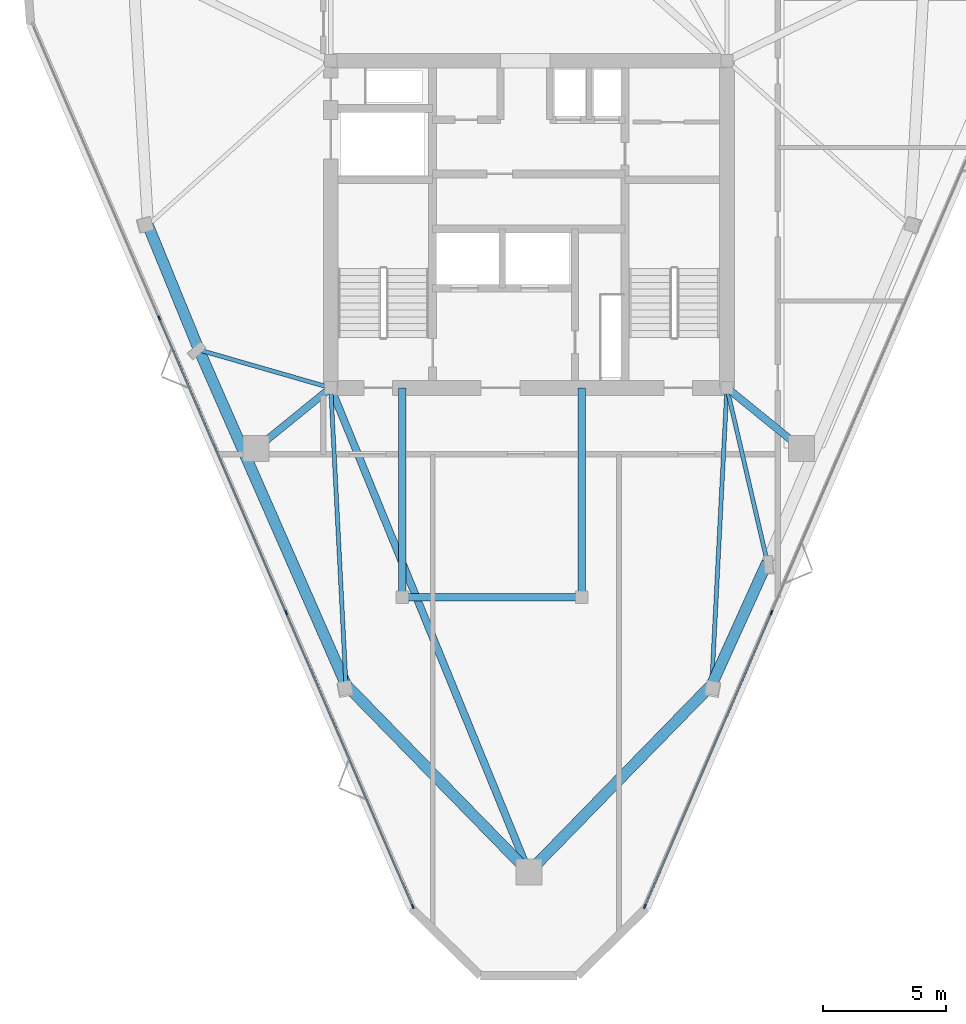
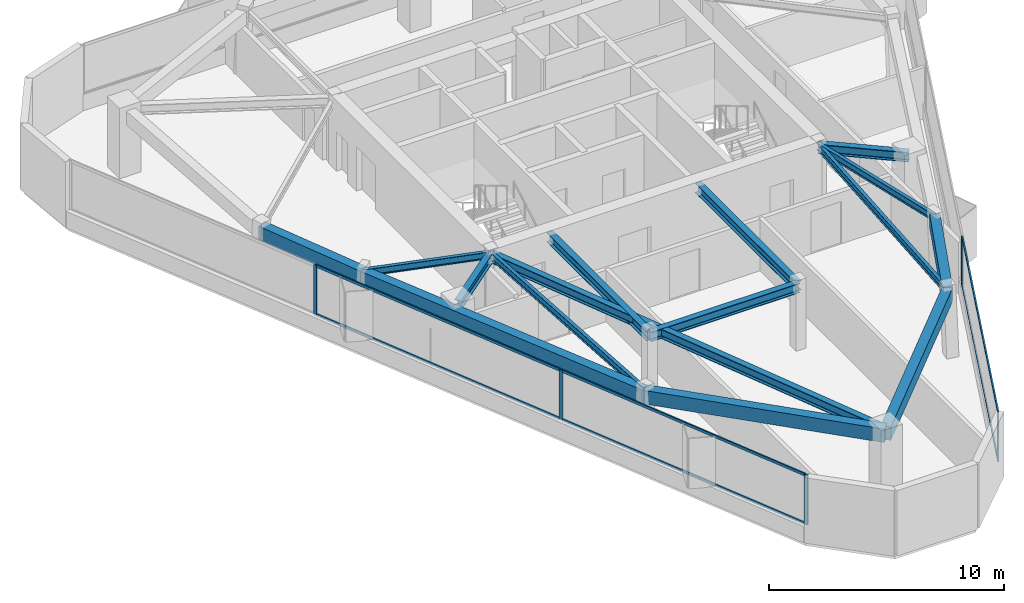
# One storey, part 2 of 9: 15 beams, 11 members, 2 elements without a shape of their own.
"""IFC4 building model written with IfcOpenShell, lengths in metres."""

from ifc_helpers import new_model, si_unit, direction, frame, origin, origin_2d, place, context, subcontext, project, spatial, rectangle, i_section, extrude, material, layer, layer_set, material_profile, profile_set, type_object, element, aggregate, save


model = new_model("IFC4")

# Units and contexts
model_context = context("Model", 3, precision=1e-05, world=origin(), true_north=direction((0.0, 1.0)))
body_context = subcontext(model_context, "Body", "Model", "MODEL_VIEW")
ifc_project = project(units=[si_unit("LENGTHUNIT", "METRE"), si_unit("AREAUNIT", "SQUARE_METRE"), si_unit("VOLUMEUNIT", "CUBIC_METRE"), si_unit("PLANEANGLEUNIT", "RADIAN"), si_unit("MASSUNIT", "GRAM", prefix="KILO")], contexts=[model_context])

# Site, building, storey
site_placement = place(None, origin())
site = spatial("IfcSite", under=ifc_project, at=site_placement, CompositionType="ELEMENT")
building_placement = place(site_placement, origin())
building = spatial("IfcBuilding", under=site, at=building_placement, Name="Talyreon Biosciences Tower", CompositionType="ELEMENT")
storey_placement = place(building_placement, frame((0.0, 0.0, 302.050048828125)))
storey = spatial("IfcBuildingStorey", under=building, at=storey_placement, Name="L80", CompositionType="ELEMENT", Elevation=302.050048828125)

# Curtain wall, members
ifc_material_1 = material(Name="Thermally broken aluminium and low-E glazing", Category="aluminium")
ifc_layer = layer(ifc_material_1, 0.175048828125)
ifc_layer_set = layer_set([ifc_layer], Name="Thermally broken aluminium and low-E glazing")
curtain_wall_type = type_object("IfcCurtainWallType", Name="CurtainWall_Zone5CompLab", PredefinedType="NOTDEFINED", material=ifc_layer_set)
curtain_wall_1_placement = place(storey_placement, origin())
curtain_wall_1 = element("IfcCurtainWall", 1, at=curtain_wall_1_placement, inside=storey, type_object=curtain_wall_type, Name="L80 Unitised Curtain Wall FCW-L80-00", PredefinedType="NOTDEFINED")
ifc_material_2 = material(Name="Anodised thermally broken aluminium", Category="aluminium")
ifc_material_profile_1 = material_profile(ifc_material_2, rectangle(XDim=0.06494140625, YDim=0.179931640625, at=origin_2d()), Name="ALUM MULLION 65x180")
ifc_profile_set_1 = profile_set([ifc_material_profile_1], Name="Anodised thermally broken aluminium")
member_type_1 = type_object("IfcMemberType", Name="CWMullion_65x180", PredefinedType="MULLION", material=ifc_profile_set_1)
member_1_placement = place(storey_placement, frame((61.28515625, 40.27099609375, 0.81005859375), z_axis=(0.0, 0.0, 1.0), x_axis=(-0.918363311246, -0.395738333444, 0.0)))
member_1 = element("IfcMember", 2, at=member_1_placement, type_object=member_type_1, Name="CW6 mullion 1", PredefinedType="MULLION", context=body_context, shape_type="SweptSolid", body=[
    extrude(rectangle(XDim=0.06494140625, YDim=0.179931640625, at=origin_2d()), origin(), (0.0, 0.0, 1.0), 2.58984375),
])
member_2_placement = place(storey_placement, frame((56.138916015625, 52.213134765625, 0.81005859375), z_axis=(0.0, 0.0, 1.0), x_axis=(-0.918363311246, -0.395738333444, 0.0)))
member_2 = element("IfcMember", 3, at=member_2_placement, type_object=member_type_1, Name="CW6 mullion 2", PredefinedType="MULLION", context=body_context, shape_type="SweptSolid", body=[
    extrude(rectangle(XDim=0.06494140625, YDim=0.179931640625, at=origin_2d()), origin(), (0.0, 0.0, 1.0), 2.58984375),
])
member_3_placement = place(storey_placement, frame((50.97998046875, 64.185302734375, 0.81005859375), z_axis=(0.0, 0.0, 1.0), x_axis=(-0.918363311246, -0.395738333444, 0.0)))
member_3 = element("IfcMember", 4, at=member_3_placement, type_object=member_type_1, Name="CW6 mullion 3", PredefinedType="MULLION", context=body_context, shape_type="SweptSolid", body=[
    extrude(rectangle(XDim=0.06494140625, YDim=0.179931640625, at=origin_2d()), origin(), (0.0, 0.0, 1.0), 2.58984375),
])

curtain_wall_2_placement = place(storey_placement, origin())
curtain_wall_2 = element("IfcCurtainWall", 5, at=curtain_wall_2_placement, inside=storey, type_object=curtain_wall_type, Name="L80 Unitised Curtain Wall FCW-L80-08", PredefinedType="NOTDEFINED")
member_4_placement = place(storey_placement, frame((75.861083984375, 52.213134765625, 0.81005859375), z_axis=(0.0, 0.0, 1.0), x_axis=(0.918363311246, -0.395738333444, 0.0)))
member_4 = element("IfcMember", 6, at=member_4_placement, type_object=member_type_1, Name="CW6 mullion 3", PredefinedType="MULLION", context=body_context, shape_type="SweptSolid", body=[
    extrude(rectangle(XDim=0.06494140625, YDim=0.179931640625, at=origin_2d()), origin(), (0.0, 0.0, 1.0), 2.58984375),
])
member_5_placement = place(storey_placement, frame((70.71484375, 40.27099609375, 0.81005859375), z_axis=(0.0, 0.0, 1.0), x_axis=(0.918363311246, -0.395738333444, 0.0)))
member_5 = element("IfcMember", 7, at=member_5_placement, type_object=member_type_1, Name="CW6 mullion 4", PredefinedType="MULLION", context=body_context, shape_type="SweptSolid", body=[
    extrude(rectangle(XDim=0.06494140625, YDim=0.179931640625, at=origin_2d()), origin(), (0.0, 0.0, 1.0), 2.58984375),
])

# Member
ifc_material_profile_2 = material_profile(ifc_material_2, rectangle(XDim=0.06494140625, YDim=0.139892578125, at=origin_2d()), Name="ALUM TRANSOM 65x140")
ifc_profile_set_2 = profile_set([ifc_material_profile_2], Name="Anodised thermally broken aluminium")
member_type_2 = type_object("IfcMemberType", Name="CWTransom_65x140", PredefinedType="USERDEFINED", material=ifc_profile_set_2)
member_6_placement = place(storey_placement, frame((61.272216796875, 40.30078125, 0.842529296875), z_axis=(-0.395735791356, 0.918364406671, 0.0), x_axis=(-0.918364406671, -0.395735791356, 0.0)))
member_6 = element("IfcMember", 8, at=member_6_placement, type_object=member_type_2, Name="CW6 transom 1.1", ObjectType="TRANSOM", PredefinedType="USERDEFINED", context=body_context, shape_type="SweptSolid", body=[
    extrude(rectangle(XDim=0.06494140625, YDim=0.139892578125, at=origin_2d()), origin(), (0.0, 0.0, 1.0), 12.938720703125),
])

member_7_placement = place(storey_placement, frame((61.272216796875, 40.30078125, 3.367431640625), z_axis=(-0.395735791356, 0.918364406671, 0.0), x_axis=(-0.918364406671, -0.395735791356, 0.0)))
member_7 = element("IfcMember", 9, at=member_7_placement, type_object=member_type_2, Name="CW6 transom 1.2", ObjectType="TRANSOM", PredefinedType="USERDEFINED", context=body_context, shape_type="SweptSolid", body=[
    extrude(rectangle(XDim=0.06494140625, YDim=0.139892578125, at=origin_2d()), origin(), (0.0, 0.0, 1.0), 12.938720703125),
])

member_8_placement = place(storey_placement, frame((56.126220703125, 52.242919921875, 0.842529296875), z_axis=(-0.395742593834, 0.91836147536, 0.0), x_axis=(-0.91836147536, -0.395742593834, 0.0)))
member_8 = element("IfcMember", 10, at=member_8_placement, type_object=member_type_2, Name="CW6 transom 2.1", ObjectType="TRANSOM", PredefinedType="USERDEFINED", context=body_context, shape_type="SweptSolid", body=[
    extrude(rectangle(XDim=0.06494140625, YDim=0.139892578125, at=origin_2d()), origin(), (0.0, 0.0, 1.0), 12.97119140625),
])

member_9_placement = place(storey_placement, frame((56.126220703125, 52.242919921875, 3.367431640625), z_axis=(-0.395742593834, 0.91836147536, 0.0), x_axis=(-0.91836147536, -0.395742593834, 0.0)))
member_9 = element("IfcMember", 11, at=member_9_placement, type_object=member_type_2, Name="CW6 transom 2.2", ObjectType="TRANSOM", PredefinedType="USERDEFINED", context=body_context, shape_type="SweptSolid", body=[
    extrude(rectangle(XDim=0.06494140625, YDim=0.139892578125, at=origin_2d()), origin(), (0.0, 0.0, 1.0), 12.97119140625),
])

aggregate(curtain_wall_1, [member_1, member_2, member_3, member_6, member_7, member_8, member_9])

member_10_placement = place(storey_placement, frame((75.84814453125, 52.183349609375, 0.842529296875), z_axis=(-0.395735791356, -0.918364406671, 0.0), x_axis=(0.918364406671, -0.395735791356, 0.0)))
member_10 = element("IfcMember", 12, at=member_10_placement, type_object=member_type_2, Name="CW6 transom 3.1", ObjectType="TRANSOM", PredefinedType="USERDEFINED", context=body_context, shape_type="SweptSolid", body=[
    extrude(rectangle(XDim=0.06494140625, YDim=0.139892578125, at=origin_2d()), origin(), (0.0, 0.0, 1.0), 12.938720703125),
])

member_11_placement = place(storey_placement, frame((75.84814453125, 52.183349609375, 3.367431640625), z_axis=(-0.395735791356, -0.918364406671, 0.0), x_axis=(0.918364406671, -0.395735791356, 0.0)))
member_11 = element("IfcMember", 13, at=member_11_placement, type_object=member_type_2, Name="CW6 transom 3.2", ObjectType="TRANSOM", PredefinedType="USERDEFINED", context=body_context, shape_type="SweptSolid", body=[
    extrude(rectangle(XDim=0.06494140625, YDim=0.139892578125, at=origin_2d()), origin(), (0.0, 0.0, 1.0), 12.938720703125),
])

aggregate(curtain_wall_2, [member_4, member_5, member_10, member_11])

# Beams
ifc_material_3 = material(Name="Precast concrete C45/55", Category="concrete")
ifc_material_profile_3 = material_profile(ifc_material_3, rectangle(XDim=0.449951171875, YDim=0.699951171875, at=origin_2d()), Name="RCB 450x700")
ifc_profile_set_3 = profile_set([ifc_material_profile_3], Name="Precast concrete C45/55")
beam_type_1 = type_object("IfcBeamType", Name="ExpressedSpandrel_450x700", PredefinedType="SPANDREL", material=ifc_profile_set_3)
beam_1_placement = place(storey_placement, frame((66.0, 41.6669921875, 3.050048828125), z_axis=(0.698429612284, 0.715678752434, 0.0), x_axis=(-0.715678752434, 0.698429612284, 0.0)))
element("IfcBeam", 14, at=beam_1_placement, inside=storey, type_object=beam_type_1, Name="L80 Expressed Horizontal Concrete Spandrel 01", PredefinedType="SPANDREL", context=body_context, shape_type="SweptSolid", body=[
    extrude(rectangle(XDim=0.449951171875, YDim=0.699951171875, at=origin_2d()), origin(), (0.0, 0.0, 1.0), 10.6435546875),
])
beam_2_placement = place(storey_placement, frame((73.433837890625, 49.284423828125, 3.050048828125), z_axis=(0.412428673776, 0.91098989514, 0.0), x_axis=(-0.91098989514, 0.412428673776, 0.0)))
element("IfcBeam", 15, at=beam_2_placement, inside=storey, type_object=beam_type_1, Name="L80 Expressed Horizontal Concrete Spandrel 02", PredefinedType="SPANDREL", context=body_context, shape_type="SweptSolid", body=[
    extrude(rectangle(XDim=0.449951171875, YDim=0.699951171875, at=origin_2d()), origin(), (0.0, 0.0, 1.0), 5.476318359375),
])
beam_3_placement = place(storey_placement, frame((50.518310546875, 67.960693359375, 3.050048828125), z_axis=(0.378881086223, -0.925445364407, 0.0), x_axis=(0.925445364407, 0.378881086223, 0.0)))
element("IfcBeam", 16, at=beam_3_placement, inside=storey, type_object=beam_type_1, Name="L80 Expressed Horizontal Concrete Spandrel 10", PredefinedType="SPANDREL", context=body_context, shape_type="SweptSolid", body=[
    extrude(rectangle(XDim=0.449951171875, YDim=0.699951171875, at=origin_2d()), origin(), (0.0, 0.0, 1.0), 5.475830078125),
])
beam_4_placement = place(storey_placement, frame((52.593017578125, 62.89306640625, 3.050048828125), z_axis=(0.401912126824, -0.915678241694, 0.0), x_axis=(0.915678241694, 0.401912126824, 0.0)))
element("IfcBeam", 17, at=beam_4_placement, inside=storey, type_object=beam_type_1, Name="L80 Expressed Horizontal Concrete Spandrel 11", PredefinedType="SPANDREL", context=body_context, shape_type="SweptSolid", body=[
    extrude(rectangle(XDim=0.449951171875, YDim=0.699951171875, at=origin_2d()), origin(), (0.0, 0.0, 1.0), 14.86181640625),
])
beam_5_placement = place(storey_placement, frame((58.566162109375, 49.284423828125, 3.050048828125), z_axis=(0.698429612284, -0.715678752434, 0.0), x_axis=(0.715678752434, 0.698429612284, 0.0)))
element("IfcBeam", 18, at=beam_5_placement, inside=storey, type_object=beam_type_1, Name="L80 Expressed Horizontal Concrete Spandrel 12", PredefinedType="SPANDREL", context=body_context, shape_type="SweptSolid", body=[
    extrude(rectangle(XDim=0.449951171875, YDim=0.699951171875, at=origin_2d()), origin(), (0.0, 0.0, 1.0), 10.6435546875),
])
ifc_material_4 = material(Name="Steel SM355", Category="steel")
ifc_material_profile_4 = material_profile(ifc_material_4, i_section(OverallWidth=0.300048828125, OverallDepth=0.5, WebThickness=0.014404296875, FlangeThickness=0.028076171875, FilletRadius=0.027099609375, at=origin_2d()), Name="HE500B")
ifc_profile_set_4 = profile_set([ifc_material_profile_4], Name="Steel SM355")
beam_type_2 = type_object("IfcBeamType", Name="SteelBeam_HE500B", PredefinedType="BEAM", material=ifc_profile_set_4)
beam_6_placement = place(storey_placement, frame((57.949951171875, 61.35009765625, 3.14990234375), z_axis=(0.378547014545, -0.925582064314, 0.0), x_axis=(0.925582064314, 0.378547014545, 0.0)))
element("IfcBeam", 19, at=beam_6_placement, inside=storey, type_object=beam_type_2, Name="L80 Radial Primary Girder 1", PredefinedType="BEAM", context=body_context, shape_type="SweptSolid", body=[
    extrude(i_section(OverallWidth=0.300048828125, OverallDepth=0.5, WebThickness=0.014404296875, FlangeThickness=0.028076171875, FilletRadius=0.027099609375, at=origin_2d()), origin(), (0.0, 0.0, 1.0), 21.265625),
])
for number, where, z_axis, x_axis, name in (
    (20, (74.050048828125, 61.35009765625, 3.14990234375), (0.775755154013, -0.631034025249, 0.0), (0.631034025249, 0.775755154013, 0.0), "L80 Radial Primary Girder 2"),
    (21, (57.949951171875, 61.35009765625, 3.14990234375), (-0.775755154013, -0.631034025249, 0.0), (0.631034025249, -0.775755154013, 0.0), "L80 Radial Primary Girder 6"),
):
    element("IfcBeam", number, at=place(storey_placement, frame(where, z_axis=z_axis, x_axis=x_axis)), inside=storey, type_object=beam_type_2, Name=name, PredefinedType="BEAM", context=body_context, shape_type="SweptSolid", body=[
        extrude(i_section(OverallWidth=0.300048828125, OverallDepth=0.5, WebThickness=0.014404296875, FlangeThickness=0.028076171875, FilletRadius=0.027099609375, at=origin_2d()), origin(), (0.0, 0.0, 1.0), 3.913818359375),
    ])
beam_7_placement = place(storey_placement, frame((60.85009765625, 52.840087890625, 3.14990234375), z_axis=(1.0, 0.0, 0.0), x_axis=(0.0, 1.0, 0.0)))
element("IfcBeam", 22, at=beam_7_placement, inside=storey, type_object=beam_type_2, Name="L80 Crown Shaft Spine Girder S", PredefinedType="BEAM", context=body_context, shape_type="SweptSolid", body=[
    extrude(i_section(OverallWidth=0.300048828125, OverallDepth=0.5, WebThickness=0.014404296875, FlangeThickness=0.028076171875, FilletRadius=0.027099609375, at=origin_2d()), origin(), (0.0, 0.0, 1.0), 7.2998046875),
])
for number, where, z_axis, x_axis, name in (
    (23, (60.85009765625, 52.840087890625, 3.14990234375), (0.0, 1.0, 0.0), (-1.0, 0.0, 0.0), "L80 Crown Shaft Tie Girder W"),
    (24, (68.14990234375, 52.840087890625, 3.14990234375), (0.0, 1.0, 0.0), (-1.0, 0.0, 0.0), "L80 Crown Shaft Tie Girder E"),
):
    element("IfcBeam", number, at=place(storey_placement, frame(where, z_axis=z_axis, x_axis=x_axis)), inside=storey, type_object=beam_type_2, Name=name, PredefinedType="BEAM", context=body_context, shape_type="SweptSolid", body=[
        extrude(i_section(OverallWidth=0.300048828125, OverallDepth=0.5, WebThickness=0.014404296875, FlangeThickness=0.028076171875, FilletRadius=0.027099609375, at=origin_2d()), origin(), (0.0, 0.0, 1.0), 8.510009765625),
    ])
ifc_material_profile_5 = material_profile(ifc_material_4, i_section(OverallWidth=0.169921875, OverallDepth=0.360107421875, WebThickness=0.008056640625, FlangeThickness=0.0126953125, FilletRadius=0.01806640625, at=origin_2d()), Name="IPE360")
ifc_profile_set_5 = profile_set([ifc_material_profile_5], Name="Steel SM355")
beam_type_3 = type_object("IfcBeamType", Name="SteelJoist_IPE360", PredefinedType="JOIST", material=ifc_profile_set_5)
beam_8_placement = place(storey_placement, frame((74.050048828125, 61.35009765625, 3.219970703125), z_axis=(-0.051004932418, -0.998698401355, 0.0), x_axis=(0.998698401355, -0.051004932418, 0.0)))
element("IfcBeam", 25, at=beam_8_placement, inside=storey, type_object=beam_type_3, Name="L80 Radial Composite Floor Joist PC-SE1", PredefinedType="JOIST", context=body_context, shape_type="SweptSolid", body=[
    extrude(i_section(OverallWidth=0.169921875, OverallDepth=0.360107421875, WebThickness=0.008056640625, FlangeThickness=0.0126953125, FilletRadius=0.01806640625, at=origin_2d()), origin(), (0.0, 0.0, 1.0), 12.081298828125),
])
beam_9_placement = place(storey_placement, frame((74.050048828125, 61.35009765625, 3.219970703125), z_axis=(0.226061947251, -0.974112927748, 0.0), x_axis=(0.974112927748, 0.226061947251, 0.0)))
element("IfcBeam", 26, at=beam_9_placement, inside=storey, type_object=beam_type_3, Name="L80 Radial Composite Floor Joist PL-SE", PredefinedType="JOIST", context=body_context, shape_type="SweptSolid", body=[
    extrude(i_section(OverallWidth=0.169921875, OverallDepth=0.360107421875, WebThickness=0.008056640625, FlangeThickness=0.0126953125, FilletRadius=0.01806640625, at=origin_2d()), origin(), (0.0, 0.0, 1.0), 7.264892578125),
])
beam_10_placement = place(storey_placement, frame((57.949951171875, 61.35009765625, 3.219970703125), z_axis=(-0.960933412452, 0.276779653937, 0.0), x_axis=(-0.276779653937, -0.960933412452, 0.0)))
element("IfcBeam", 27, at=beam_10_placement, inside=storey, type_object=beam_type_3, Name="L80 Radial Composite Floor Joist PL-SW", PredefinedType="JOIST", context=body_context, shape_type="SweptSolid", body=[
    extrude(i_section(OverallWidth=0.169921875, OverallDepth=0.360107421875, WebThickness=0.008056640625, FlangeThickness=0.0126953125, FilletRadius=0.01806640625, at=origin_2d()), origin(), (0.0, 0.0, 1.0), 5.57470703125),
])
beam_11_placement = place(storey_placement, frame((57.949951171875, 61.35009765625, 3.219970703125), z_axis=(0.051004932418, -0.998698401355, 0.0), x_axis=(0.998698401355, 0.051004932418, 0.0)))
element("IfcBeam", 28, at=beam_11_placement, inside=storey, type_object=beam_type_3, Name="L80 Radial Composite Floor Joist PC-SW2", PredefinedType="JOIST", context=body_context, shape_type="SweptSolid", body=[
    extrude(i_section(OverallWidth=0.169921875, OverallDepth=0.360107421875, WebThickness=0.008056640625, FlangeThickness=0.0126953125, FilletRadius=0.01806640625, at=origin_2d()), origin(), (0.0, 0.0, 1.0), 12.081298828125),
])

save(model, "model.ifc")
